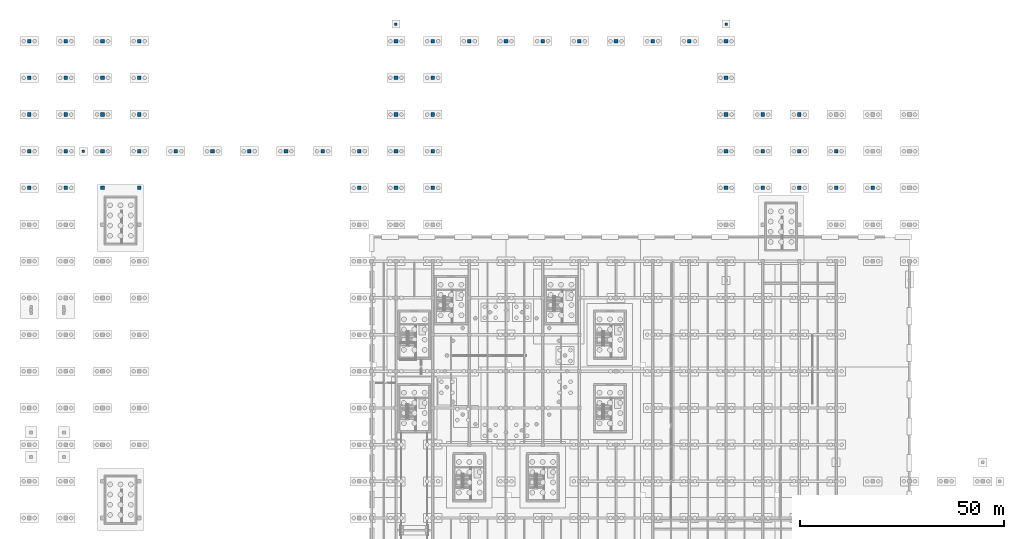
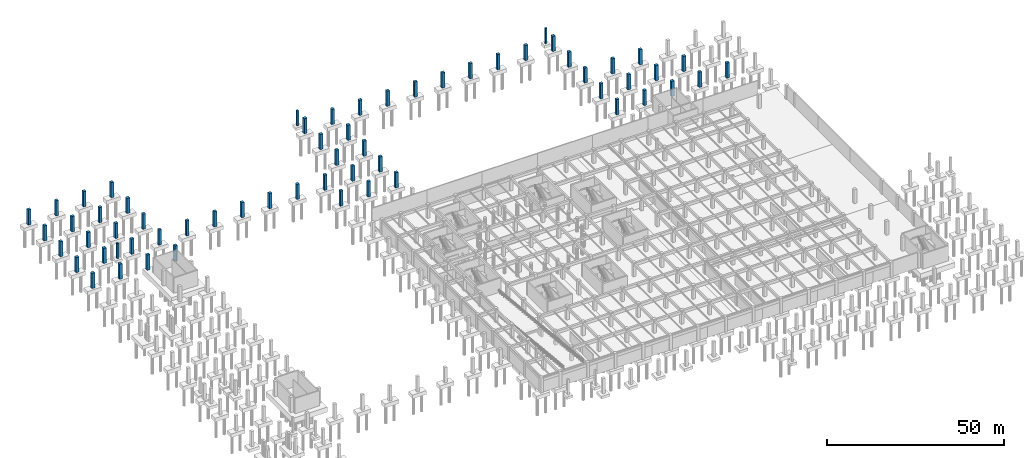
# One storey, part 12 of 27: 61 columns.
"""IFC4 building model written with IfcOpenShell, lengths in metres."""

from ifc_helpers import new_model, si_unit, direction, frame, origin, origin_2d, place, context, subcontext, project, spatial, rectangle, extrude, material, material_profile, profile_set, type_object, element, save


model = new_model("IFC4")

# Units and contexts
model_context = context("Model", 3, precision=1e-05, world=origin(), true_north=direction((0.0, 1.0)))
body_context = subcontext(model_context, "Body", "Model", "MODEL_VIEW")
ifc_project = project(units=[si_unit("LENGTHUNIT", "METRE"), si_unit("AREAUNIT", "SQUARE_METRE"), si_unit("VOLUMEUNIT", "CUBIC_METRE"), si_unit("PLANEANGLEUNIT", "RADIAN"), si_unit("MASSUNIT", "GRAM", prefix="KILO")], contexts=[model_context])

# Site, building, storey
site_placement = place(None, origin())
site = spatial("IfcSite", under=ifc_project, at=site_placement, CompositionType="ELEMENT")
building_placement = place(site_placement, origin())
building = spatial("IfcBuilding", under=site, at=building_placement, Name="Dornveld Trade and Exhibition Forum", CompositionType="ELEMENT")
storey_placement = place(building_placement, frame((0.0, 0.0, -4.800048828125)))
storey = spatial("IfcBuildingStorey", under=building, at=storey_placement, Name="B1", CompositionType="ELEMENT", Elevation=-4.800048828125)

# Columns
ifc_material_1 = material(Name="Precast concrete C50/60", Category="concrete")
ifc_material_profile_1 = material_profile(ifc_material_1, rectangle(XDim=0.60009765625, YDim=0.60009765625, at=origin_2d()), Name="PC-COL 600x600")
ifc_profile_set_1 = profile_set([ifc_material_profile_1], Name="Precast concrete C50/60")
column_type_1 = type_object("IfcColumnType", Name="COL-PC600", PredefinedType="COLUMN", material=ifc_profile_set_1)
for number, where, z_axis, x_axis, name in (
    (1, (90.0, 166.199951171875, -0.449951171875), (0.0, 0.0, 1.0), (1.0, 0.0, 0.0), "Paving edge support pier 1"),
    (2, (171.0, 166.199951171875, -0.449951171875), (0.0, 0.0, 1.0), (1.0, 0.0, 0.0), "Paving edge support pier 2"),
    (3, (13.300048828125, 135.0, -0.449951171875), (0.0, 0.0, 1.0), (1.0, 0.0, 0.0), "Paving edge support pier 4"),
):
    element("IfcColumn", number, at=place(storey_placement, frame(where, z_axis=z_axis, x_axis=x_axis)), inside=storey, type_object=column_type_1, Name=name, PredefinedType="COLUMN", context=body_context, shape_type="SweptSolid", body=[
        extrude(rectangle(XDim=0.60009765625, YDim=0.60009765625, at=origin_2d()), origin(), (0.0, 0.0, 1.0), 5.25),
    ])
ifc_material_2 = material(Name="Precast concrete C50/60", Category="concrete")
ifc_material_profile_2 = material_profile(ifc_material_2, rectangle(XDim=0.89990234375, YDim=0.89990234375, at=origin_2d()), Name="PC-COL 900x900")
ifc_profile_set_2 = profile_set([ifc_material_profile_2], Name="Precast concrete C50/60")
column_type_2 = type_object("IfcColumnType", Name="COL-PC900", PredefinedType="COLUMN", material=ifc_profile_set_2)
for number, where, z_axis, x_axis, name in (
    (4, (0.0, 126.0, -0.449951171875), (0.0, 0.0, 1.0), (1.0, 0.0, 0.0), "B1 column (0.0, 126.0)"),
    (5, (0.0, 135.0, -0.449951171875), (0.0, 0.0, 1.0), (1.0, 0.0, 0.0), "B1 column (0.0, 135.0)"),
    (6, (0.0, 144.0, -0.449951171875), (0.0, 0.0, 1.0), (1.0, 0.0, 0.0), "B1 column (0.0, 144.0)"),
    (7, (0.0, 153.0, -0.449951171875), (0.0, 0.0, 1.0), (1.0, 0.0, 0.0), "B1 column (0.0, 153.0)"),
    (8, (0.0, 162.0, -0.449951171875), (0.0, 0.0, 1.0), (1.0, 0.0, 0.0), "B1 column (0.0, 162.0)"),
    (9, (9.0, 126.0, -0.449951171875), (0.0, 0.0, 1.0), (1.0, 0.0, 0.0), "B1 column (9.0, 126.0)"),
    (10, (9.0, 135.0, -0.449951171875), (0.0, 0.0, 1.0), (1.0, 0.0, 0.0), "B1 column (9.0, 135.0)"),
    (11, (9.0, 144.0, -0.449951171875), (0.0, 0.0, 1.0), (1.0, 0.0, 0.0), "B1 column (9.0, 144.0)"),
    (12, (9.0, 153.0, -0.449951171875), (0.0, 0.0, 1.0), (1.0, 0.0, 0.0), "B1 column (9.0, 153.0)"),
    (13, (9.0, 162.0, -0.449951171875), (0.0, 0.0, 1.0), (1.0, 0.0, 0.0), "B1 column (9.0, 162.0)"),
    (14, (18.0, 126.0, -0.449951171875), (0.0, 0.0, 1.0), (1.0, 0.0, 0.0), "B1 column (18.0, 126.0)"),
    (15, (18.0, 135.0, -0.449951171875), (0.0, 0.0, 1.0), (1.0, 0.0, 0.0), "B1 column (18.0, 135.0)"),
    (16, (18.0, 144.0, -0.449951171875), (0.0, 0.0, 1.0), (1.0, 0.0, 0.0), "B1 column (18.0, 144.0)"),
    (17, (18.0, 153.0, -0.449951171875), (0.0, 0.0, 1.0), (1.0, 0.0, 0.0), "B1 column (18.0, 153.0)"),
    (18, (18.0, 162.0, -0.449951171875), (0.0, 0.0, 1.0), (1.0, 0.0, 0.0), "B1 column (18.0, 162.0)"),
    (19, (27.0, 126.0, -0.449951171875), (0.0, 0.0, 1.0), (1.0, 0.0, 0.0), "B1 column (27.0, 126.0)"),
    (20, (27.0, 135.0, -0.449951171875), (0.0, 0.0, 1.0), (1.0, 0.0, 0.0), "B1 column (27.0, 135.0)"),
    (21, (27.0, 144.0, -0.449951171875), (0.0, 0.0, 1.0), (1.0, 0.0, 0.0), "B1 column (27.0, 144.0)"),
    (22, (27.0, 153.0, -0.449951171875), (0.0, 0.0, 1.0), (1.0, 0.0, 0.0), "B1 column (27.0, 153.0)"),
    (23, (27.0, 162.0, -0.449951171875), (0.0, 0.0, 1.0), (1.0, 0.0, 0.0), "B1 column (27.0, 162.0)"),
    (24, (36.0, 135.0, -0.449951171875), (0.0, 0.0, 1.0), (1.0, 0.0, 0.0), "B1 column (36.0, 135.0)"),
    (25, (45.0, 135.0, -0.449951171875), (0.0, 0.0, 1.0), (1.0, 0.0, 0.0), "B1 column (45.0, 135.0)"),
    (26, (54.0, 135.0, -0.449951171875), (0.0, 0.0, 1.0), (1.0, 0.0, 0.0), "B1 column (54.0, 135.0)"),
    (27, (63.0, 135.0, -0.449951171875), (0.0, 0.0, 1.0), (1.0, 0.0, 0.0), "B1 column (63.0, 135.0)"),
    (28, (72.0, 135.0, -0.449951171875), (0.0, 0.0, 1.0), (1.0, 0.0, 0.0), "B1 column (72.0, 135.0)"),
    (29, (81.0, 126.0, -0.449951171875), (0.0, 0.0, 1.0), (1.0, 0.0, 0.0), "B1 column (81.0, 126.0)"),
    (30, (81.0, 135.0, -0.449951171875), (0.0, 0.0, 1.0), (1.0, 0.0, 0.0), "B1 column (81.0, 135.0)"),
    (31, (90.0, 126.0, -0.449951171875), (0.0, 0.0, 1.0), (1.0, 0.0, 0.0), "B1 column (90.0, 126.0)"),
    (32, (90.0, 135.0, -0.449951171875), (0.0, 0.0, 1.0), (1.0, 0.0, 0.0), "B1 column (90.0, 135.0)"),
    (33, (90.0, 144.0, -0.449951171875), (0.0, 0.0, 1.0), (1.0, 0.0, 0.0), "B1 column (90.0, 144.0)"),
    (34, (90.0, 153.0, -0.449951171875), (0.0, 0.0, 1.0), (1.0, 0.0, 0.0), "B1 column (90.0, 153.0)"),
    (35, (90.0, 162.0, -0.449951171875), (0.0, 0.0, 1.0), (1.0, 0.0, 0.0), "B1 column (90.0, 162.0)"),
    (36, (99.0, 126.0, -0.449951171875), (0.0, 0.0, 1.0), (1.0, 0.0, 0.0), "B1 column (99.0, 126.0)"),
    (37, (99.0, 135.0, -0.449951171875), (0.0, 0.0, 1.0), (1.0, 0.0, 0.0), "B1 column (99.0, 135.0)"),
    (38, (99.0, 144.0, -0.449951171875), (0.0, 0.0, 1.0), (1.0, 0.0, 0.0), "B1 column (99.0, 144.0)"),
    (39, (99.0, 153.0, -0.449951171875), (0.0, 0.0, 1.0), (1.0, 0.0, 0.0), "B1 column (99.0, 153.0)"),
    (40, (99.0, 162.0, -0.449951171875), (0.0, 0.0, 1.0), (1.0, 0.0, 0.0), "B1 column (99.0, 162.0)"),
    (41, (108.0, 162.0, -0.449951171875), (0.0, 0.0, 1.0), (1.0, 0.0, 0.0), "B1 column (108.0, 162.0)"),
    (42, (117.0, 162.0, -0.449951171875), (0.0, 0.0, 1.0), (1.0, 0.0, 0.0), "B1 column (117.0, 162.0)"),
    (43, (126.0, 162.0, -0.449951171875), (0.0, 0.0, 1.0), (1.0, 0.0, 0.0), "B1 column (126.0, 162.0)"),
    (44, (135.0, 162.0, -0.449951171875), (0.0, 0.0, 1.0), (1.0, 0.0, 0.0), "B1 column (135.0, 162.0)"),
    (45, (144.0, 162.0, -0.449951171875), (0.0, 0.0, 1.0), (1.0, 0.0, 0.0), "B1 column (144.0, 162.0)"),
    (46, (153.0, 162.0, -0.449951171875), (0.0, 0.0, 1.0), (1.0, 0.0, 0.0), "B1 column (153.0, 162.0)"),
    (47, (162.0, 162.0, -0.449951171875), (0.0, 0.0, 1.0), (1.0, 0.0, 0.0), "B1 column (162.0, 162.0)"),
    (48, (171.0, 126.0, -0.449951171875), (0.0, 0.0, 1.0), (1.0, 0.0, 0.0), "B1 column (171.0, 126.0)"),
    (49, (171.0, 135.0, -0.449951171875), (0.0, 0.0, 1.0), (1.0, 0.0, 0.0), "B1 column (171.0, 135.0)"),
    (50, (171.0, 144.0, -0.449951171875), (0.0, 0.0, 1.0), (1.0, 0.0, 0.0), "B1 column (171.0, 144.0)"),
    (51, (171.0, 153.0, -0.449951171875), (0.0, 0.0, 1.0), (1.0, 0.0, 0.0), "B1 column (171.0, 153.0)"),
    (52, (171.0, 162.0, -0.449951171875), (0.0, 0.0, 1.0), (1.0, 0.0, 0.0), "B1 column (171.0, 162.0)"),
    (53, (180.0, 126.0, -0.449951171875), (0.0, 0.0, 1.0), (1.0, 0.0, 0.0), "B1 column (180.0, 126.0)"),
    (54, (180.0, 135.0, -0.449951171875), (0.0, 0.0, 1.0), (1.0, 0.0, 0.0), "B1 column (180.0, 135.0)"),
    (55, (180.0, 144.0, -0.449951171875), (0.0, 0.0, 1.0), (1.0, 0.0, 0.0), "B1 column (180.0, 144.0)"),
    (56, (189.0, 126.0, -0.449951171875), (0.0, 0.0, 1.0), (1.0, 0.0, 0.0), "B1 column (189.0, 126.0)"),
    (57, (189.0, 135.0, -0.449951171875), (0.0, 0.0, 1.0), (1.0, 0.0, 0.0), "B1 column (189.0, 135.0)"),
    (58, (189.0, 144.0, -0.449951171875), (0.0, 0.0, 1.0), (1.0, 0.0, 0.0), "B1 column (189.0, 144.0)"),
    (59, (198.0, 126.0, -0.449951171875), (0.0, 0.0, 1.0), (1.0, 0.0, 0.0), "B1 column (198.0, 126.0)"),
    (60, (198.0, 135.0, -0.449951171875), (0.0, 0.0, 1.0), (1.0, 0.0, 0.0), "B1 column (198.0, 135.0)"),
    (61, (207.0, 126.0, -0.449951171875), (0.0, 0.0, 1.0), (1.0, 0.0, 0.0), "B1 column (207.0, 126.0)"),
):
    element("IfcColumn", number, at=place(storey_placement, frame(where, z_axis=z_axis, x_axis=x_axis)), inside=storey, type_object=column_type_2, Name=name, PredefinedType="COLUMN", context=body_context, shape_type="SweptSolid", body=[
        extrude(rectangle(XDim=0.89990234375, YDim=0.89990234375, at=origin_2d()), origin(), (0.0, 0.0, 1.0), 5.25),
    ])

save(model, "model.ifc")
